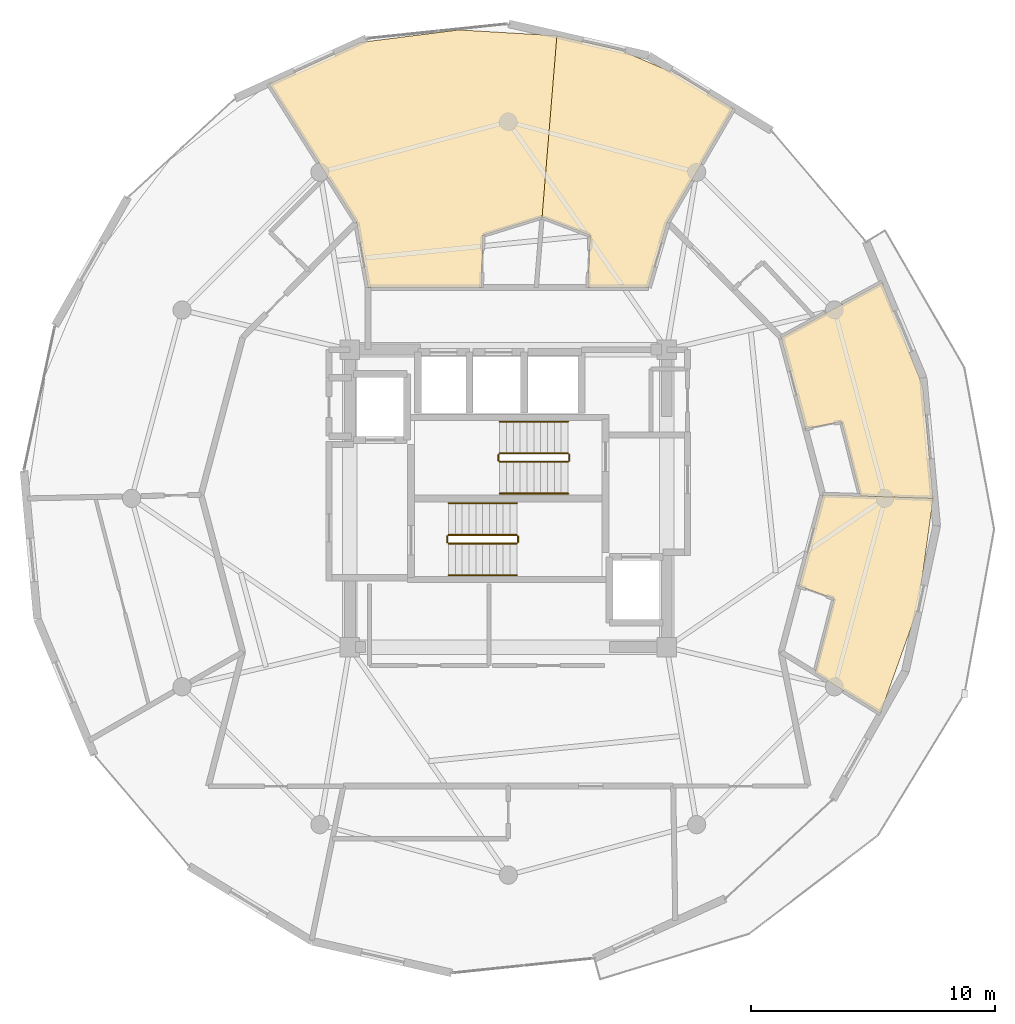
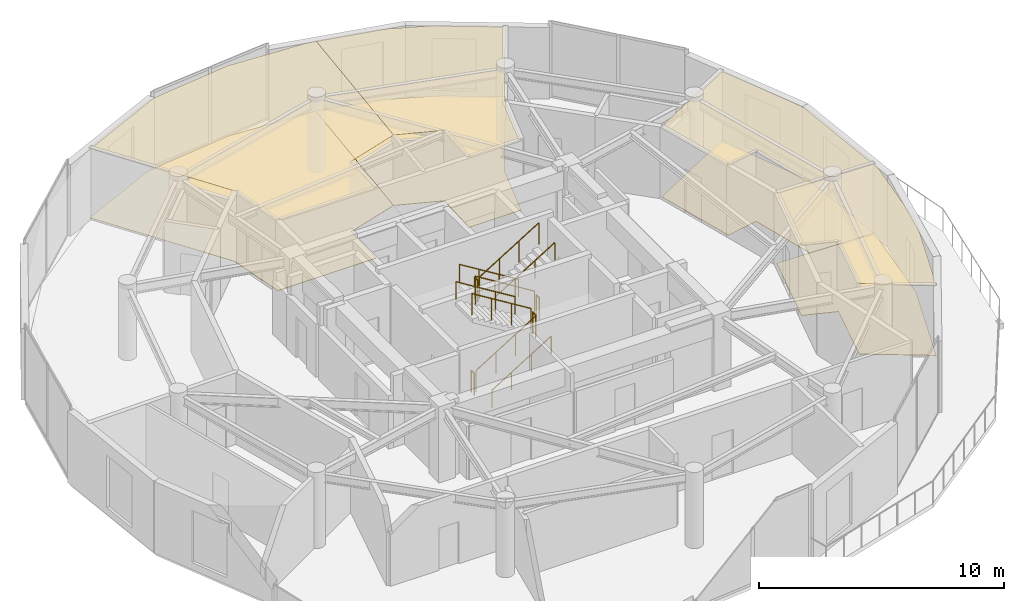
# One storey, part 22 of 22: 12 railings, 8 coverings.
"""IFC4 building model written with IfcOpenShell, lengths in metres."""

import ifcopenshell
import ifcopenshell.guid

model = None  # the IFC model being written
_history = None  # IfcOwnerHistory: only IFC2X3 demands one
_inside = {}  # id of a spatial element -> (the spatial element, [elements in it])
_under = {}  # id of a project, library or spatial element -> (it, [spatial elements below it])
_declared = {}  # id of a project -> (the project, [libraries it declares])
_typed = {}  # id of a type object -> (the type object, [elements of that type])
_made_of = {}  # id of a material, layer set ... -> (it, [elements and type objects made of it])


def new_model(schema):
    """Start an empty IFC model of exactly this schema.

    Asked for "IFC4X3", IfcOpenShell would pick the latest addendum, in which some entities
    have other attributes; the version numbers below select the first issue.
    IFC2X3 requires an IfcOwnerHistory on every rooted entity: one is made here for all.
    """
    global model, _history
    if schema == "IFC4X3":
        model = ifcopenshell.file(schema_version=(4, 3, 0, 0))
    else:
        model = ifcopenshell.file(schema=schema)
    _inside.clear()
    _under.clear()
    _declared.clear()
    _typed.clear()
    _made_of.clear()
    _history = None
    if model.schema == "IFC2X3":
        org = make("IfcOrganization", Name="unknown")
        user = make(
            "IfcPersonAndOrganization",
            ThePerson=make("IfcPerson", FamilyName="unknown"),
            TheOrganization=org,
        )
        app = make(
            "IfcApplication",
            ApplicationDeveloper=org,
            Version="unknown",
            ApplicationFullName="unknown",
            ApplicationIdentifier="unknown",
        )
        _history = make(
            "IfcOwnerHistory",
            OwningUser=user,
            OwningApplication=app,
            ChangeAction="ADDED",
            CreationDate=0,
        )
    return model


def make(cls, **values):
    """One entity of the class cls with the attributes given. An attribute that is None is left unset."""
    return model.create_entity(
        cls, **{name: value for name, value in values.items() if value is not None}
    )


def rooted(cls, **values):
    """An entity with a GlobalId (a new one), such as an element, a storey or a relation."""
    return make(cls, GlobalId=ifcopenshell.guid.new(), OwnerHistory=_history, **values)


def si_unit(unit_type, name, prefix=None):
    """IfcSIUnit, for example si_unit("LENGTHUNIT", "METRE", prefix="MILLI")."""
    return make("IfcSIUnit", UnitType=unit_type, Prefix=prefix, Name=name)


def assignment(units):
    """IfcUnitAssignment: the units of a project."""
    return None if units is None else make("IfcUnitAssignment", Units=units)


def point(xyz):
    """IfcCartesianPoint."""
    return None if xyz is None else make("IfcCartesianPoint", Coordinates=xyz)


def direction(xyz):
    """IfcDirection."""
    return None if xyz is None else make("IfcDirection", DirectionRatios=xyz)


def frame(location, z_axis=None, x_axis=None):
    """IfcAxis2Placement3D, a coordinate frame: its origin and axes. An axis left out is left unset."""
    return make(
        "IfcAxis2Placement3D",
        Location=point(location),
        Axis=direction(z_axis),
        RefDirection=direction(x_axis),
    )


def frame_2d(location, x_axis=None):
    """IfcAxis2Placement2D, a coordinate frame in the plane: its origin and x axis."""
    return make(
        "IfcAxis2Placement2D", Location=point(location), RefDirection=direction(x_axis)
    )


def origin():
    """The frame at (0, 0, 0) with its axes left unset."""
    return frame((0.0, 0.0, 0.0))


def origin_2d():
    """The frame at (0, 0) in the plane with its x axis left unset."""
    return frame_2d((0.0, 0.0))


def place(relative_to, where):
    """IfcLocalPlacement: puts the frame where relative to a parent placement (None: the world)."""
    return make(
        "IfcLocalPlacement", PlacementRelTo=relative_to, RelativePlacement=where
    )


def context(
    kind, dimensions, precision=None, world=None, true_north=None, identifier=None
):
    """IfcGeometricRepresentationContext, for example the 3D "Model" context."""
    return make(
        "IfcGeometricRepresentationContext",
        ContextIdentifier=identifier,
        ContextType=kind,
        CoordinateSpaceDimension=dimensions,
        Precision=precision,
        WorldCoordinateSystem=world,
        TrueNorth=true_north,
    )


def subcontext(parent, identifier, kind, view, scale=None):
    """IfcGeometricRepresentationSubContext, for example "Body" below "Model"."""
    return make(
        "IfcGeometricRepresentationSubContext",
        ContextIdentifier=identifier,
        ContextType=kind,
        ParentContext=parent,
        TargetScale=scale,
        TargetView=view,
    )


def project(units=None, contexts=None):
    """IfcProject with its units and contexts."""
    return rooted(
        "IfcProject",
        Name="project",
        RepresentationContexts=contexts,
        UnitsInContext=assignment(units),
    )


def spatial(cls, under=None, at=None, **own):
    """A site, building, storey or space (cls), placed at a placement, below another one or the project."""
    s = rooted(cls, ObjectPlacement=at, **own)
    if under is not None:
        _under.setdefault(under.id(), (under, []))[1].append(s)
    return s


def polyline(points):
    """IfcPolyline through the points."""
    return make("IfcPolyline", Points=[point(p) for p in points])


def profile(cls, at=None, kind="AREA", **sizes):
    """A parametric profile (cls). Its sizes go by their IFC names, for example OverallWidth=200.0."""
    return make(cls, ProfileType=kind, Position=at, **sizes)


def circle(**sizes):
    """IfcCircleProfileDef."""
    return profile("IfcCircleProfileDef", **sizes)


def outline(outer, holes=None, kind="AREA"):
    """IfcArbitraryClosedProfileDef: a profile drawn as a closed curve; with holes, ...WithVoids."""
    if holes is None:
        return make("IfcArbitraryClosedProfileDef", ProfileType=kind, OuterCurve=outer)
    return make(
        "IfcArbitraryProfileDefWithVoids",
        ProfileType=kind,
        OuterCurve=outer,
        InnerCurves=holes,
    )


def extrude(swept, where, along, depth):
    """IfcExtrudedAreaSolid: the profile swept, set in the frame where, extruded along a direction by depth."""
    return make(
        "IfcExtrudedAreaSolid",
        SweptArea=swept,
        Position=where,
        ExtrudedDirection=direction(along),
        Depth=depth,
    )


def shape(context_of_items, identifier, shape_type, items):
    """IfcShapeRepresentation: the items that make up one representation, for example the "Body"."""
    return make(
        "IfcShapeRepresentation",
        ContextOfItems=context_of_items,
        RepresentationIdentifier=identifier,
        RepresentationType=shape_type,
        Items=items,
    )


def material(Name=None, Category=None):
    """IfcMaterial."""
    return make("IfcMaterial", Name=Name, Category=Category)


def layer(
    of_material, thickness, ventilated=None, Name=None, Category=None, Priority=None
):
    """IfcMaterialLayer: one layer of a wall or slab, of a material (None: an air gap)."""
    return make(
        "IfcMaterialLayer",
        Material=of_material,
        LayerThickness=thickness,
        IsVentilated=ventilated,
        Name=Name,
        Category=Category,
        Priority=Priority,
    )


def layer_set(layers, Name=None):
    """IfcMaterialLayerSet."""
    return make("IfcMaterialLayerSet", MaterialLayers=layers, LayerSetName=Name)


def made_of(thing, what):
    """Note that an element or type object is made of a material, layer set ...; save() writes the relation."""
    if what is not None:
        _made_of.setdefault(what.id(), (what, []))[1].append(thing)
    return thing


def type_object(cls, material=None, **own):
    """A type object (cls), such as IfcWallType, which elements share."""
    return made_of(rooted(cls, **own), material)


def element(
    cls,
    number,
    at=None,
    inside=None,
    cuts=None,
    type_object=None,
    material=None,
    context=None,
    identifier="Body",
    shape_type=None,
    held_by="IfcProductDefinitionShape",
    body=None,
    shapes=None,
    **own,
):
    """One element of the class cls, such as IfcWall. Its Tag is "e" and its number.

    at: its placement. inside: the storey or other place that contains it. cuts: it is an
    opening in that element (IfcRelVoidsElement). A single representation is given by context,
    identifier, shape_type and body (its items); several are given by shapes. held_by: the class
    of the entity that holds the representations. save() writes the other relations.
    """
    e = rooted(cls, Tag="e%d" % number, ObjectPlacement=at, **own)
    if body is not None:
        shapes = [shape(context, identifier, shape_type, body)]
    if shapes is not None:
        e.Representation = make(held_by, Representations=shapes)
    if inside is not None:
        _inside.setdefault(inside.id(), (inside, []))[1].append(e)
    if cuts is not None:
        rooted(
            "IfcRelVoidsElement", RelatingBuildingElement=cuts, RelatedOpeningElement=e
        )
    if type_object is not None:
        _typed.setdefault(type_object.id(), (type_object, []))[1].append(e)
    return made_of(e, material)


def aggregate(whole, parts):
    """IfcRelAggregates: a whole, such as a stair, and the parts it consists of."""
    return rooted("IfcRelAggregates", RelatingObject=whole, RelatedObjects=parts)


def save(model, path):
    """Write the relations noted so far, then the file.

    IfcRelAggregates (storeys below a building ...), IfcRelContainedInSpatialStructure (elements
    in a storey), IfcRelDefinesByType, IfcRelAssociatesMaterial and IfcRelDeclares: one each for
    every whole, place, type object, material and project.
    """
    for whole, parts in _under.values():
        aggregate(whole, parts)
    for where, things in _inside.values():
        rooted(
            "IfcRelContainedInSpatialStructure",
            RelatedElements=things,
            RelatingStructure=where,
        )
    for kind, things in _typed.values():
        rooted("IfcRelDefinesByType", RelatedObjects=things, RelatingType=kind)
    for what, things in _made_of.values():
        rooted("IfcRelAssociatesMaterial", RelatedObjects=things, RelatingMaterial=what)
    for by, libraries in _declared.values():
        rooted("IfcRelDeclares", RelatingContext=by, RelatedDefinitions=libraries)
    model.write(path)


model = new_model("IFC4")

# Units and contexts
model_context = context("Model", 3, precision=1e-05, world=origin(), true_north=direction((0.0, 1.0)))
body_context = subcontext(model_context, "Body", "Model", "MODEL_VIEW")
ifc_project = project(units=[si_unit("LENGTHUNIT", "METRE"), si_unit("AREAUNIT", "SQUARE_METRE"), si_unit("VOLUMEUNIT", "CUBIC_METRE"), si_unit("PLANEANGLEUNIT", "RADIAN"), si_unit("MASSUNIT", "GRAM", prefix="KILO")], contexts=[model_context])

# Site, building, storey
site_placement = place(None, origin())
site = spatial("IfcSite", under=ifc_project, at=site_placement, CompositionType="ELEMENT")
building_placement = place(site_placement, origin())
building = spatial("IfcBuilding", under=site, at=building_placement, Name="Solvirekh Grand Hotel", CompositionType="ELEMENT")
storey_placement = place(building_placement, frame((0.0, 0.0, 289.60009765625)))
storey = spatial("IfcBuildingStorey", under=building, at=storey_placement, Name="L75", CompositionType="ELEMENT", Elevation=289.60009765625)

# Coverings
ifc_material_1 = material(Name="Acoustic Mineral Ceiling Tile")
ifc_layer_1 = layer(ifc_material_1, 0.02490234375)
ifc_layer_set_1 = layer_set([ifc_layer_1], Name="Acoustic Mineral Ceiling Tile")
covering_type_1 = type_object("IfcCoveringType", Name="Cov_Ceiling_Acoustic", PredefinedType="CEILING", material=ifc_layer_set_1)
covering_1_placement = place(storey_placement, frame((0.0, 0.0, 3.52001953125)))
element("IfcCovering", 1, at=covering_1_placement, inside=storey, type_object=covering_type_1, Name="L75 Deluxe Guestroom 7701 acoustic ceiling", PredefinedType="CEILING", context=body_context, shape_type="SweptSolid", body=[
    extrude(outline(polyline([(1.385986328125, 11.541015625), (3.35400390625, 10.791015625), (3.26611328125, 8.64990234375), (5.75, 8.64990234375), (6.52490234375, 11.322021484375), (9.23291015625, 15.992919921875), (7.009033203125, 17.34912109375), (4.5849609375, 18.387939453125), (1.993896484375, 18.97607421875), (1.385986328125, 11.541015625)])), origin(), (0.0, 0.0, 1.0), 0.017822265625),
])
covering_2_placement = place(storey_placement, frame((0.0, 0.0, 3.52001953125)))
element("IfcCovering", 2, at=covering_2_placement, inside=storey, type_object=covering_type_1, Name="L75 Panorama Suite 7702 acoustic ceiling", PredefinedType="CEILING", context=body_context, shape_type="SweptSolid", body=[
    extrude(outline(polyline([(-1.10009765625, 8.64990234375), (-1.0390625, 10.791015625), (1.385986328125, 11.541015625), (1.14990234375, 8.64990234375), (1.993896484375, 18.97607421875), (-2.01904296875, 19.214111328125), (-6.075927734375, 18.699951171875), (-9.81396484375, 16.998046875), (-6.22509765625, 11.322021484375), (-5.75, 8.64990234375), (-1.10009765625, 8.64990234375)])), origin(), (0.0, 0.0, 1.0), 0.017822265625),
])
covering_3_placement = place(storey_placement, frame((0.0, 0.0, 3.52001953125)))
element("IfcCovering", 3, at=covering_3_placement, inside=storey, type_object=covering_type_1, Name="L75 Deluxe Guestroom 7704 acoustic ceiling", PredefinedType="CEILING", context=body_context, shape_type="SweptSolid", body=[
    extrude(outline(polyline([(13.35791015625, -4.10791015625), (12.575927734375, -7.154052734375), (15.263916015625, -8.81298828125), (16.802001953125, -4.501953125), (17.423095703125, 0.0), (12.89990234375, 0.14990234375), (11.908935546875, -3.591064453125), (13.35791015625, -4.10791015625)])), origin(), (0.0, 0.0, 1.0), 0.017822265625),
])
covering_4_placement = place(storey_placement, frame((0.0, 0.0, 3.52001953125)))
element("IfcCovering", 4, at=covering_4_placement, inside=storey, type_object=covering_type_1, Name="L75 Deluxe Guestroom 7705 acoustic ceiling", PredefinedType="CEILING", context=body_context, shape_type="SweptSolid", body=[
    extrude(outline(polyline([(13.666015625, 3.15087890625), (14.43798828125, 0.09912109375), (17.423095703125, 0.0), (17.008056640625, 4.556884765625), (15.3359375, 8.85400390625), (11.19189453125, 6.60009765625), (12.18310546875, 2.85888671875), (13.666015625, 3.15087890625)])), origin(), (0.0, 0.0, 1.0), 0.017822265625),
])
ifc_material_2 = material(Name="Porcelain Stoneware Flooring", Category="masonry")
ifc_layer_2 = layer(ifc_material_2, 0.030029296875)
ifc_layer_set_2 = layer_set([ifc_layer_2], Name="Porcelain Stoneware Flooring")
covering_type_2 = type_object("IfcCoveringType", Name="Cov_Floor_Stone", PredefinedType="FLOORING", material=ifc_layer_set_2)
covering_5_placement = place(storey_placement, origin())
element("IfcCovering", 5, at=covering_5_placement, inside=storey, type_object=covering_type_2, Name="L75 Deluxe Guestroom 7701 polished granite flooring", PredefinedType="FLOORING", context=body_context, shape_type="SweptSolid", body=[
    extrude(outline(polyline([(1.385986328125, 11.541015625), (3.35400390625, 10.791015625), (3.26611328125, 8.64990234375), (5.75, 8.64990234375), (6.52490234375, 11.322021484375), (9.23291015625, 15.992919921875), (7.009033203125, 17.34912109375), (4.5849609375, 18.387939453125), (1.993896484375, 18.97607421875), (1.385986328125, 11.541015625)])), origin(), (0.0, 0.0, 1.0), 0.02001953125),
])
covering_6_placement = place(storey_placement, origin())
element("IfcCovering", 6, at=covering_6_placement, inside=storey, type_object=covering_type_2, Name="L75 Panorama Suite 7702 polished granite flooring", PredefinedType="FLOORING", context=body_context, shape_type="SweptSolid", body=[
    extrude(outline(polyline([(-1.10009765625, 8.64990234375), (-1.0390625, 10.791015625), (1.385986328125, 11.541015625), (1.14990234375, 8.64990234375), (1.993896484375, 18.97607421875), (-2.01904296875, 19.214111328125), (-6.075927734375, 18.699951171875), (-9.81396484375, 16.998046875), (-6.22509765625, 11.322021484375), (-5.75, 8.64990234375), (-1.10009765625, 8.64990234375)])), origin(), (0.0, 0.0, 1.0), 0.02001953125),
])
covering_7_placement = place(storey_placement, origin())
element("IfcCovering", 7, at=covering_7_placement, inside=storey, type_object=covering_type_2, Name="L75 Deluxe Guestroom 7704 polished granite flooring", PredefinedType="FLOORING", context=body_context, shape_type="SweptSolid", body=[
    extrude(outline(polyline([(13.35791015625, -4.10791015625), (12.575927734375, -7.154052734375), (15.263916015625, -8.81298828125), (16.802001953125, -4.501953125), (17.423095703125, 0.0), (12.89990234375, 0.14990234375), (11.908935546875, -3.591064453125), (13.35791015625, -4.10791015625)])), origin(), (0.0, 0.0, 1.0), 0.02001953125),
])
covering_8_placement = place(storey_placement, origin())
element("IfcCovering", 8, at=covering_8_placement, inside=storey, type_object=covering_type_2, Name="L75 Deluxe Guestroom 7705 polished granite flooring", PredefinedType="FLOORING", context=body_context, shape_type="SweptSolid", body=[
    extrude(outline(polyline([(13.666015625, 3.15087890625), (14.43798828125, 0.09912109375), (17.423095703125, 0.0), (17.008056640625, 4.556884765625), (15.3359375, 8.85400390625), (11.19189453125, 6.60009765625), (12.18310546875, 2.85888671875), (13.666015625, 3.15087890625)])), origin(), (0.0, 0.0, 1.0), 0.02001953125),
])

# Railings
ifc_material_3 = material(Name="Steel S355", Category="steel")
railing_type_1 = type_object("IfcRailingType", Name="Guard_Stair_1100", PredefinedType="GUARDRAIL", material=ifc_material_3)
railing_1_placement = place(storey_placement, frame((-2.449951171875, -1.85009765625, 0.172607421875)))
element("IfcRailing", 9, at=railing_1_placement, inside=storey, type_object=railing_type_1, Name="L75 ST-1 stair guard 1", PredefinedType="GUARDRAIL", context=body_context, shape_type="SweptSolid", body=[
    extrude(circle(Radius=0.02392578125, at=origin_2d()), frame((0.0, 0.0, 1.076171875), z_axis=(0.851089632645, 0.0, 0.525020415988), x_axis=(0.0, 1.0, 0.0)), (0.0, 0.0, 1.0), 3.2900390625),
    extrude(circle(Radius=0.02099609375, at=origin_2d()), origin(), (0.0, 0.0, 1.0), 1.052001953125),
    extrude(circle(Radius=0.02099609375, at=origin_2d()), frame((0.933349609375, 0.0, 0.57568359375)), (0.0, 0.0, 1.0), 1.052001953125),
    extrude(circle(Radius=0.02099609375, at=origin_2d()), frame((1.86669921875, 0.0, 1.151611328125)), (0.0, 0.0, 1.0), 1.052001953125),
    extrude(circle(Radius=0.02099609375, at=origin_2d()), frame((2.800048828125, 0.0, 1.727294921875)), (0.0, 0.0, 1.0), 1.052001953125),
])
railing_2_placement = place(storey_placement, frame((0.39990234375, -1.800048828125, 1.89990234375)))
element("IfcRailing", 10, at=railing_2_placement, inside=storey, type_object=railing_type_1, Name="L75 ST-1 stair guard 2", PredefinedType="GUARDRAIL", context=body_context, shape_type="SweptSolid", body=[
    extrude(circle(Radius=0.02392578125, at=origin_2d()), frame((0.0, 0.0, 1.076171875), z_axis=(0.0, 1.0, 0.0), x_axis=(-1.0, 0.0, 0.0)), (0.0, 0.0, 1.0), 0.25),
    extrude(circle(Radius=0.02099609375, at=origin_2d()), origin(), (0.0, 0.0, 1.0), 1.052001953125),
    extrude(circle(Radius=0.02099609375, at=origin_2d()), frame((0.0, 0.25, 0.0)), (0.0, 0.0, 1.0), 1.052001953125),
])
railing_3_placement = place(storey_placement, frame((0.35009765625, -1.5, 2.072509765625)))
element("IfcRailing", 11, at=railing_3_placement, inside=storey, type_object=railing_type_1, Name="L75 ST-1 stair guard 3", PredefinedType="GUARDRAIL", context=body_context, shape_type="SweptSolid", body=[
    extrude(circle(Radius=0.02392578125, at=origin_2d()), frame((0.0, 0.0, 1.076171875), z_axis=(-0.851089632645, 0.0, 0.525020415988), x_axis=(0.0, -1.0, 0.0)), (0.0, 0.0, 1.0), 3.2900390625),
    extrude(circle(Radius=0.02099609375, at=origin_2d()), origin(), (0.0, 0.0, 1.0), 1.052001953125),
    extrude(circle(Radius=0.02099609375, at=origin_2d()), frame((-0.933349609375, 0.0, 0.57568359375)), (0.0, 0.0, 1.0), 1.052001953125),
    extrude(circle(Radius=0.02099609375, at=origin_2d()), frame((-1.86669921875, 0.0, 1.151611328125)), (0.0, 0.0, 1.0), 1.052001953125),
    extrude(circle(Radius=0.02099609375, at=origin_2d()), frame((-2.800048828125, 0.0, 1.727294921875)), (0.0, 0.0, 1.0), 1.052001953125),
])
railing_4_placement = place(storey_placement, frame((-2.5, -1.800048828125, 0.0)))
element("IfcRailing", 12, at=railing_4_placement, inside=storey, type_object=railing_type_1, Name="L75 ST-1 stair guard 4", PredefinedType="GUARDRAIL", context=body_context, shape_type="SweptSolid", body=[
    extrude(circle(Radius=0.02392578125, at=origin_2d()), frame((0.0, 0.0, 1.076171875), z_axis=(0.0, 1.0, 0.0), x_axis=(-1.0, 0.0, 0.0)), (0.0, 0.0, 1.0), 0.25),
    extrude(circle(Radius=0.02099609375, at=origin_2d()), origin(), (0.0, 0.0, 1.0), 1.052001953125),
    extrude(circle(Radius=0.02099609375, at=origin_2d()), frame((0.0, 0.25, 0.0)), (0.0, 0.0, 1.0), 1.052001953125),
])
railing_5_placement = place(storey_placement, frame((2.449951171875, 1.85009765625, 0.172607421875)))
element("IfcRailing", 13, at=railing_5_placement, inside=storey, type_object=railing_type_1, Name="L75 ST-2 stair guard 1", PredefinedType="GUARDRAIL", context=body_context, shape_type="SweptSolid", body=[
    extrude(circle(Radius=0.02392578125, at=origin_2d()), frame((0.0, 0.0, 1.076171875), z_axis=(-0.851089632645, 0.0, 0.525020415988), x_axis=(0.0, -1.0, 0.0)), (0.0, 0.0, 1.0), 3.2900390625),
    extrude(circle(Radius=0.02099609375, at=origin_2d()), origin(), (0.0, 0.0, 1.0), 1.052001953125),
    extrude(circle(Radius=0.02099609375, at=origin_2d()), frame((-0.933349609375, 0.0, 0.57568359375)), (0.0, 0.0, 1.0), 1.052001953125),
    extrude(circle(Radius=0.02099609375, at=origin_2d()), frame((-1.86669921875, 0.0, 1.151611328125)), (0.0, 0.0, 1.0), 1.052001953125),
    extrude(circle(Radius=0.02099609375, at=origin_2d()), frame((-2.800048828125, 0.0, 1.727294921875)), (0.0, 0.0, 1.0), 1.052001953125),
])
railing_6_placement = place(storey_placement, frame((-0.39990234375, 1.800048828125, 1.89990234375)))
element("IfcRailing", 14, at=railing_6_placement, inside=storey, type_object=railing_type_1, Name="L75 ST-2 stair guard 2", PredefinedType="GUARDRAIL", context=body_context, shape_type="SweptSolid", body=[
    extrude(circle(Radius=0.02392578125, at=origin_2d()), frame((0.0, 0.0, 1.076171875), z_axis=(0.0, -1.0, 0.0), x_axis=(1.0, 0.0, 0.0)), (0.0, 0.0, 1.0), 0.25),
    extrude(circle(Radius=0.02099609375, at=origin_2d()), origin(), (0.0, 0.0, 1.0), 1.052001953125),
    extrude(circle(Radius=0.02099609375, at=origin_2d()), frame((0.0, -0.25, 0.0)), (0.0, 0.0, 1.0), 1.052001953125),
])
railing_7_placement = place(storey_placement, frame((-0.35009765625, 1.5, 2.072509765625)))
element("IfcRailing", 15, at=railing_7_placement, inside=storey, type_object=railing_type_1, Name="L75 ST-2 stair guard 3", PredefinedType="GUARDRAIL", context=body_context, shape_type="SweptSolid", body=[
    extrude(circle(Radius=0.02392578125, at=origin_2d()), frame((0.0, 0.0, 1.076171875), z_axis=(0.851089632645, 0.0, 0.525020415988), x_axis=(0.0, 1.0, 0.0)), (0.0, 0.0, 1.0), 3.2900390625),
    extrude(circle(Radius=0.02099609375, at=origin_2d()), origin(), (0.0, 0.0, 1.0), 1.052001953125),
    extrude(circle(Radius=0.02099609375, at=origin_2d()), frame((0.933349609375, 0.0, 0.57568359375)), (0.0, 0.0, 1.0), 1.052001953125),
    extrude(circle(Radius=0.02099609375, at=origin_2d()), frame((1.86669921875, 0.0, 1.151611328125)), (0.0, 0.0, 1.0), 1.052001953125),
    extrude(circle(Radius=0.02099609375, at=origin_2d()), frame((2.800048828125, 0.0, 1.727294921875)), (0.0, 0.0, 1.0), 1.052001953125),
])
railing_8_placement = place(storey_placement, frame((2.5, 1.800048828125, 0.0)))
element("IfcRailing", 16, at=railing_8_placement, inside=storey, type_object=railing_type_1, Name="L75 ST-2 stair guard 4", PredefinedType="GUARDRAIL", context=body_context, shape_type="SweptSolid", body=[
    extrude(circle(Radius=0.02392578125, at=origin_2d()), frame((0.0, 0.0, 1.076171875), z_axis=(0.0, -1.0, 0.0), x_axis=(1.0, 0.0, 0.0)), (0.0, 0.0, 1.0), 0.25),
    extrude(circle(Radius=0.02099609375, at=origin_2d()), origin(), (0.0, 0.0, 1.0), 1.052001953125),
    extrude(circle(Radius=0.02099609375, at=origin_2d()), frame((0.0, -0.25, 0.0)), (0.0, 0.0, 1.0), 1.052001953125),
])
ifc_material_4 = material(Name="Anodized Bronze Aluminium 6063-T6", Category="aluminium")
railing_type_2 = type_object("IfcRailingType", Name="Handrail_Wall_900", PredefinedType="HANDRAIL", material=ifc_material_4)
railing_9_placement = place(storey_placement, frame((-2.449951171875, -3.14990234375, 0.172607421875)))
element("IfcRailing", 17, at=railing_9_placement, inside=storey, type_object=railing_type_2, Name="L75 ST-1 stair handrail 1", PredefinedType="HANDRAIL", context=body_context, shape_type="SweptSolid", body=[
    extrude(circle(Radius=0.02392578125, at=origin_2d()), frame((0.0, 0.0, 0.8759765625), z_axis=(0.851089632645, 0.0, 0.525020415988), x_axis=(0.0, 1.0, 0.0)), (0.0, 0.0, 1.0), 3.2900390625),
    extrude(circle(Radius=0.02099609375, at=origin_2d()), origin(), (0.0, 0.0, 1.0), 0.851806640625),
    extrude(circle(Radius=0.02099609375, at=origin_2d()), frame((0.933349609375, 0.0, 0.57568359375)), (0.0, 0.0, 1.0), 0.851806640625),
    extrude(circle(Radius=0.02099609375, at=origin_2d()), frame((1.86669921875, 0.0, 1.151611328125)), (0.0, 0.0, 1.0), 0.851806640625),
    extrude(circle(Radius=0.02099609375, at=origin_2d()), frame((2.800048828125, 0.0, 1.727294921875)), (0.0, 0.0, 1.0), 0.851806640625),
])
for number, where, name in (
    (18, (0.35009765625, -0.199951171875, 2.072509765625), "L75 ST-1 stair handrail 2"),
    (19, (2.449951171875, 3.14990234375, 0.172607421875), "L75 ST-2 stair handrail 1"),
):
    element("IfcRailing", number, at=place(storey_placement, frame(where)), inside=storey, type_object=railing_type_2, Name=name, PredefinedType="HANDRAIL", context=body_context, shape_type="SweptSolid", body=[
        extrude(circle(Radius=0.02392578125, at=origin_2d()), frame((0.0, 0.0, 0.8759765625), z_axis=(-0.851089632645, 0.0, 0.525020415988), x_axis=(0.0, -1.0, 0.0)), (0.0, 0.0, 1.0), 3.2900390625),
        extrude(circle(Radius=0.02099609375, at=origin_2d()), origin(), (0.0, 0.0, 1.0), 0.851806640625),
        extrude(circle(Radius=0.02099609375, at=origin_2d()), frame((-0.933349609375, 0.0, 0.57568359375)), (0.0, 0.0, 1.0), 0.851806640625),
        extrude(circle(Radius=0.02099609375, at=origin_2d()), frame((-1.86669921875, 0.0, 1.151611328125)), (0.0, 0.0, 1.0), 0.851806640625),
        extrude(circle(Radius=0.02099609375, at=origin_2d()), frame((-2.800048828125, 0.0, 1.727294921875)), (0.0, 0.0, 1.0), 0.851806640625),
    ])
railing_10_placement = place(storey_placement, frame((-0.35009765625, 0.199951171875, 2.072509765625)))
element("IfcRailing", 20, at=railing_10_placement, inside=storey, type_object=railing_type_2, Name="L75 ST-2 stair handrail 2", PredefinedType="HANDRAIL", context=body_context, shape_type="SweptSolid", body=[
    extrude(circle(Radius=0.02392578125, at=origin_2d()), frame((0.0, 0.0, 0.8759765625), z_axis=(0.851089632645, 0.0, 0.525020415988), x_axis=(0.0, 1.0, 0.0)), (0.0, 0.0, 1.0), 3.2900390625),
    extrude(circle(Radius=0.02099609375, at=origin_2d()), origin(), (0.0, 0.0, 1.0), 0.851806640625),
    extrude(circle(Radius=0.02099609375, at=origin_2d()), frame((0.933349609375, 0.0, 0.57568359375)), (0.0, 0.0, 1.0), 0.851806640625),
    extrude(circle(Radius=0.02099609375, at=origin_2d()), frame((1.86669921875, 0.0, 1.151611328125)), (0.0, 0.0, 1.0), 0.851806640625),
    extrude(circle(Radius=0.02099609375, at=origin_2d()), frame((2.800048828125, 0.0, 1.727294921875)), (0.0, 0.0, 1.0), 0.851806640625),
])

save(model, "model.ifc")
